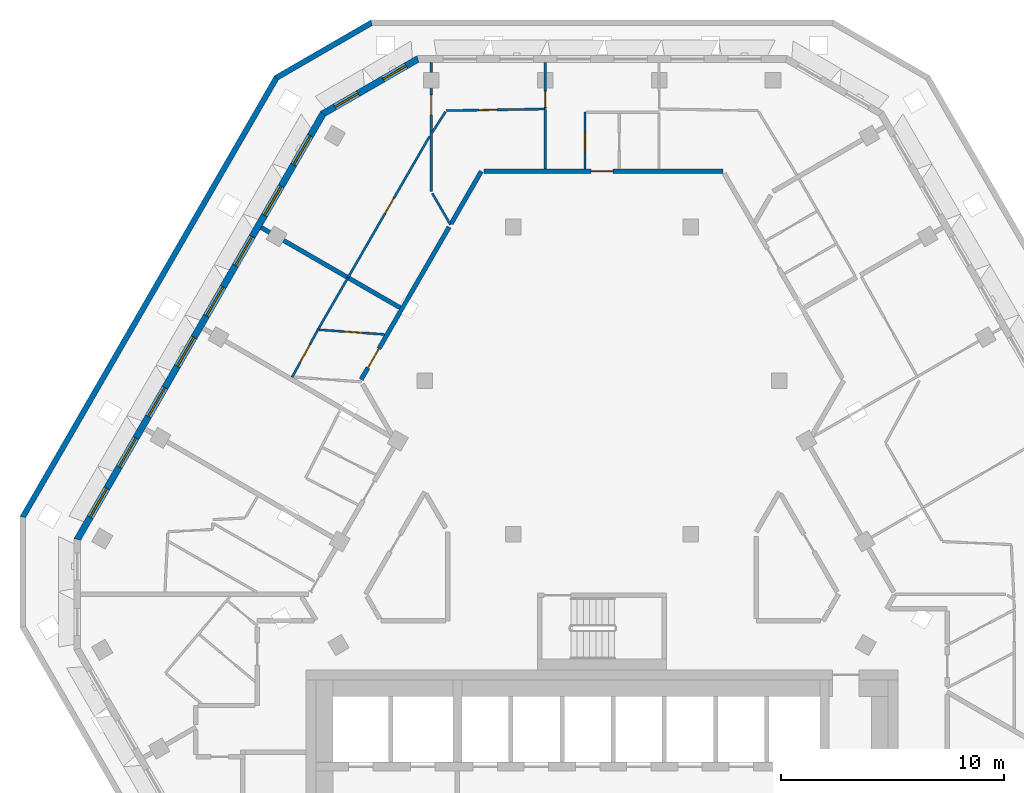
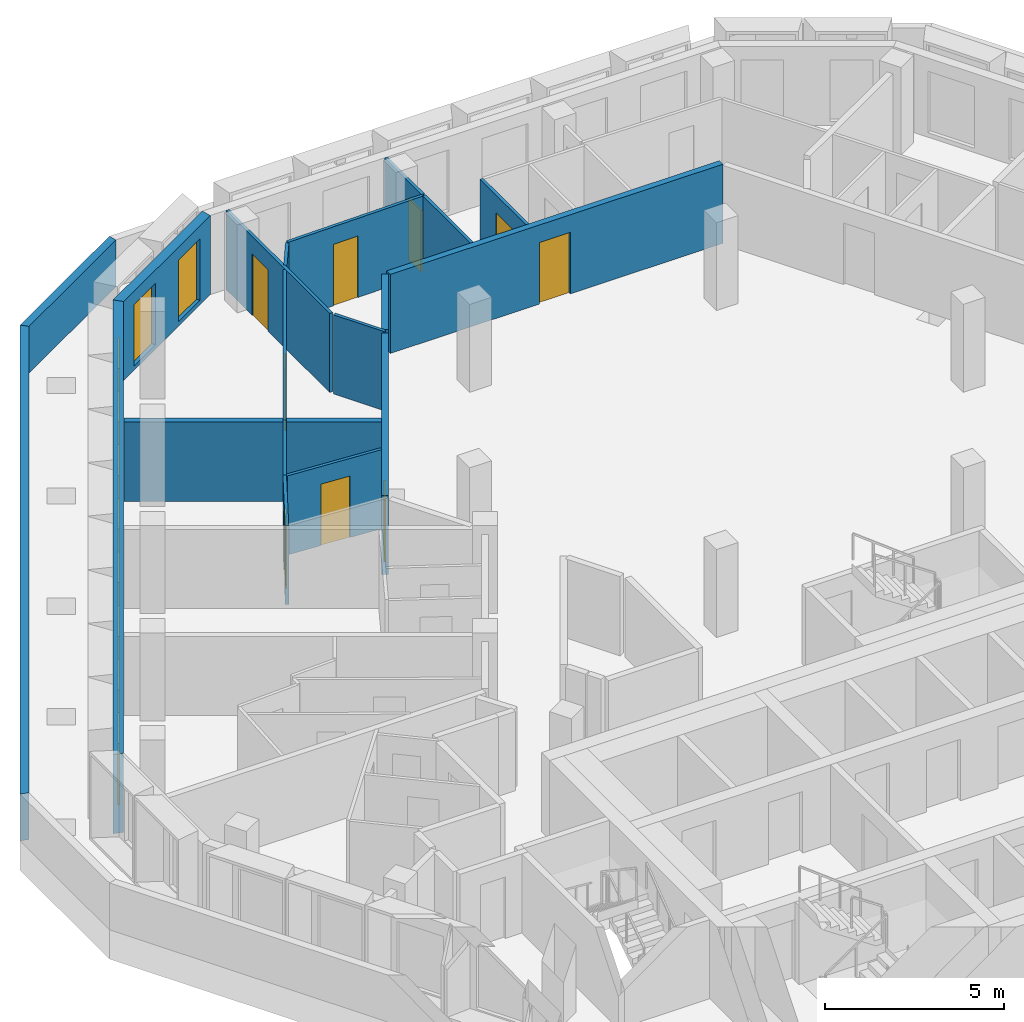
# One storey, part 7 of 15: 19 walls, 10 windows, 9 doors, 19 openings.
"""IFC4 building model written with IfcOpenShell, lengths in metres."""

from ifc_helpers import new_model, si_unit, direction, frame, frame_2d, origin, place, context, subcontext, project, spatial, polyline, rectangle, outline, extrude, material, layer, layer_set, type_object, element, fill, save


model = new_model("IFC4")

# Units and contexts
model_context = context("Model", 3, precision=1e-05, world=origin(), true_north=direction((0.0, 1.0)))
body_context = subcontext(model_context, "Body", "Model", "MODEL_VIEW")
ifc_project = project(units=[si_unit("LENGTHUNIT", "METRE"), si_unit("AREAUNIT", "SQUARE_METRE"), si_unit("VOLUMEUNIT", "CUBIC_METRE"), si_unit("PLANEANGLEUNIT", "RADIAN"), si_unit("MASSUNIT", "GRAM", prefix="KILO")], contexts=[model_context])

# Site, building, storey
site_placement = place(None, origin())
site = spatial("IfcSite", under=ifc_project, at=site_placement, CompositionType="ELEMENT")
building_placement = place(site_placement, origin())
building = spatial("IfcBuilding", under=site, at=building_placement, Name="Beryl Residences", CompositionType="ELEMENT")
storey_placement = place(building_placement, frame((0.0, 0.0, 202.800048828125)))
storey = spatial("IfcBuildingStorey", under=building, at=storey_placement, Name="L62", CompositionType="ELEMENT", Elevation=202.800048828125)

# Wall, openings, windows
ifc_material_1 = material(Name="Composite metal panel with mineral wool insulation")
ifc_layer_1 = layer(ifc_material_1, 0.300048828125)
ifc_layer_set_1 = layer_set([ifc_layer_1], Name="ES1 pale metal composite panel wall 300 mm")
wall_type_1 = type_object("IfcWallType", Name="ES1 pale metal composite panel wall 300 mm", PredefinedType="SOLIDWALL", material=ifc_layer_set_1)
wall_1_placement = place(storey_placement, frame((-8.239013671875, 22.469970703125, 0.0), z_axis=(0.0, 0.0, 1.0), x_axis=(-0.866022959057, -0.500004234368, 0.0)))
wall_1 = element("IfcWall", 1, at=wall_1_placement, inside=storey, type_object=wall_type_1, Name="ES1 external wall L62 N-NW", PredefinedType="SOLIDWALL", context=body_context, shape_type="SweptSolid", body=[
    extrude(outline(polyline([(0.0, -0.14990234375), (5.0, -0.14990234375), (4.919677734375, 0.14990234375), (0.080322265625, 0.14990234375), (0.0, -0.14990234375)])), origin(), (0.0, 0.0, 1.0), 2.699951171875),
])
opening_1_placement = place(wall_1_placement, frame((0.64990234375, 0.0, 0.14990234375)))
opening_1 = element("IfcOpeningElement", 2, at=opening_1_placement, cuts=wall_1, Name="Opening W2", PredefinedType="OPENING", context=body_context, shape_type="SweptSolid", body=[
    extrude(rectangle(XDim=1.199951171875, YDim=2.10009765625, at=frame_2d((0.60009765625, 1.050048828125))), frame((0.0, 0.159912109375, 0.0), z_axis=(0.0, -1.0, 0.0), x_axis=(1.0, 0.0, 0.0)), (0.0, 0.0, 1.0), 0.320068359375),
])
opening_2_placement = place(wall_1_placement, frame((3.14892578125, 0.0, 0.14990234375)))
opening_2 = element("IfcOpeningElement", 3, at=opening_2_placement, cuts=wall_1, Name="Opening W2", PredefinedType="OPENING", context=body_context, shape_type="SweptSolid", body=[
    extrude(rectangle(XDim=1.199951171875, YDim=2.10009765625, at=frame_2d((0.60009765625, 1.050048828125))), frame((0.0, 0.159912109375, 0.0), z_axis=(0.0, -1.0, 0.0), x_axis=(1.0, 0.0, 0.0)), (0.0, 0.0, 1.0), 0.320068359375),
])
ifc_material_2 = material(Name="Aluminium and clear glass", Category="aluminium")
window_type_1 = type_object("IfcWindowType", Name="W2 chamfer window 1200 x 2100 mm", PartitioningType="SINGLE_PANEL", PredefinedType="WINDOW", material=ifc_material_2)
window_1_placement = place(opening_1_placement, origin())
window_1 = element("IfcWindow", 4, at=window_1_placement, inside=storey, type_object=window_type_1, Name="W2 window L62 N-NW 1", OverallHeight=2.10009765625, OverallWidth=1.199951171875, PartitioningType="SINGLE_PANEL", PredefinedType="WINDOW", context=body_context, shape_type="SweptSolid", body=[
    extrude(rectangle(XDim=1.199951171875, YDim=2.10009765625, at=frame_2d((0.60009765625, 1.050048828125))), frame((0.0, 0.030029296875, 0.0), z_axis=(0.0, -1.0, 0.0), x_axis=(1.0, 0.0, 0.0)), (0.0, 0.0, 1.0), 0.06005859375),
])
fill(opening_1, window_1)
window_2_placement = place(opening_2_placement, origin())
window_2 = element("IfcWindow", 5, at=window_2_placement, inside=storey, type_object=window_type_1, Name="W2 window L62 N-NW 2", OverallHeight=2.10009765625, OverallWidth=1.199951171875, PartitioningType="SINGLE_PANEL", PredefinedType="WINDOW", context=body_context, shape_type="SweptSolid", body=[
    extrude(rectangle(XDim=1.199951171875, YDim=2.10009765625, at=frame_2d((0.60009765625, 1.050048828125))), frame((0.0, 0.030029296875, 0.0), z_axis=(0.0, -1.0, 0.0), x_axis=(1.0, 0.0, 0.0)), (0.0, 0.0, 1.0), 0.06005859375),
])
fill(opening_2, window_2)

wall_2_placement = place(storey_placement, frame((-12.513916015625, 20.02490234375, 0.0), z_axis=(0.0, 0.0, 1.0), x_axis=(-0.500003656944, -0.866023292436, 0.0)))
wall_2 = element("IfcWall", 6, at=wall_2_placement, inside=storey, type_object=wall_type_1, Name="ES1 external wall L62 NW", PredefinedType="SOLIDWALL", context=body_context, shape_type="SweptSolid", body=[
    extrude(outline(polyline([(0.0, -0.14990234375), (22.170166015625, -0.14990234375), (22.08984375, 0.14990234375), (0.080322265625, 0.14990234375), (0.0, -0.14990234375)])), origin(), (0.0, 0.0, 1.0), 2.699951171875),
])
opening_3_placement = place(wall_2_placement, frame((1.19091796875, 0.0, 0.14990234375)))
opening_3 = element("IfcOpeningElement", 7, at=opening_3_placement, cuts=wall_2, Name="Opening W1", PredefinedType="OPENING", context=body_context, shape_type="SweptSolid", body=[
    extrude(rectangle(XDim=1.5, YDim=2.10009765625, at=frame_2d((0.75, 1.050048828125))), frame((0.0, 0.159912109375, 0.0), z_axis=(0.0, -1.0, 0.0), x_axis=(1.0, 0.0, 0.0)), (0.0, 0.0, 1.0), 0.320068359375),
])
opening_4_placement = place(wall_2_placement, frame((3.803955078125, 0.0, 0.14990234375)))
opening_4 = element("IfcOpeningElement", 8, at=opening_4_placement, cuts=wall_2, Name="Opening W1", PredefinedType="OPENING", context=body_context, shape_type="SweptSolid", body=[
    extrude(rectangle(XDim=1.5, YDim=2.10009765625, at=frame_2d((0.75, 1.050048828125))), frame((0.0, 0.159912109375, 0.0), z_axis=(0.0, -1.0, 0.0), x_axis=(1.0, 0.0, 0.0)), (0.0, 0.0, 1.0), 0.320068359375),
])
opening_5_placement = place(wall_2_placement, frame((6.416015625, 0.0, 0.14990234375)))
opening_5 = element("IfcOpeningElement", 9, at=opening_5_placement, cuts=wall_2, Name="Opening W1", PredefinedType="OPENING", context=body_context, shape_type="SweptSolid", body=[
    extrude(rectangle(XDim=1.5, YDim=2.10009765625, at=frame_2d((0.75, 1.050048828125))), frame((0.0, 0.159912109375, 0.0), z_axis=(0.0, -1.0, 0.0), x_axis=(1.0, 0.0, 0.0)), (0.0, 0.0, 1.0), 0.320068359375),
])
opening_6_placement = place(wall_2_placement, frame((9.029052734375, 0.0, 0.14990234375)))
opening_6 = element("IfcOpeningElement", 10, at=opening_6_placement, cuts=wall_2, Name="Opening W1", PredefinedType="OPENING", context=body_context, shape_type="SweptSolid", body=[
    extrude(rectangle(XDim=1.5, YDim=2.10009765625, at=frame_2d((0.75, 1.050048828125))), frame((0.0, 0.159912109375, 0.0), z_axis=(0.0, -1.0, 0.0), x_axis=(1.0, 0.0, 0.0)), (0.0, 0.0, 1.0), 0.320068359375),
])
opening_7_placement = place(wall_2_placement, frame((11.64111328125, 0.0, 0.14990234375)))
opening_7 = element("IfcOpeningElement", 11, at=opening_7_placement, cuts=wall_2, Name="Opening W1", PredefinedType="OPENING", context=body_context, shape_type="SweptSolid", body=[
    extrude(rectangle(XDim=1.5, YDim=2.10009765625, at=frame_2d((0.75, 1.050048828125))), frame((0.0, 0.159912109375, 0.0), z_axis=(0.0, -1.0, 0.0), x_axis=(1.0, 0.0, 0.0)), (0.0, 0.0, 1.0), 0.320068359375),
])
opening_8_placement = place(wall_2_placement, frame((14.25390625, 0.0, 0.14990234375)))
opening_8 = element("IfcOpeningElement", 12, at=opening_8_placement, cuts=wall_2, Name="Opening W1", PredefinedType="OPENING", context=body_context, shape_type="SweptSolid", body=[
    extrude(rectangle(XDim=1.5, YDim=2.10009765625, at=frame_2d((0.75, 1.050048828125))), frame((0.0, 0.159912109375, 0.0), z_axis=(0.0, -1.0, 0.0), x_axis=(1.0, 0.0, 0.0)), (0.0, 0.0, 1.0), 0.320068359375),
])
opening_9_placement = place(wall_2_placement, frame((16.865966796875, 0.0, 0.14990234375)))
opening_9 = element("IfcOpeningElement", 13, at=opening_9_placement, cuts=wall_2, Name="Opening W1", PredefinedType="OPENING", context=body_context, shape_type="SweptSolid", body=[
    extrude(rectangle(XDim=1.5, YDim=2.10009765625, at=frame_2d((0.75, 1.050048828125))), frame((0.0, 0.159912109375, 0.0), z_axis=(0.0, -1.0, 0.0), x_axis=(1.0, 0.0, 0.0)), (0.0, 0.0, 1.0), 0.320068359375),
])
opening_10_placement = place(wall_2_placement, frame((19.47900390625, 0.0, 0.14990234375)))
opening_10 = element("IfcOpeningElement", 14, at=opening_10_placement, cuts=wall_2, Name="Opening W1", PredefinedType="OPENING", context=body_context, shape_type="SweptSolid", body=[
    extrude(rectangle(XDim=1.5, YDim=2.10009765625, at=frame_2d((0.75, 1.050048828125))), frame((0.0, 0.159912109375, 0.0), z_axis=(0.0, -1.0, 0.0), x_axis=(1.0, 0.0, 0.0)), (0.0, 0.0, 1.0), 0.320068359375),
])
ifc_material_3 = material(Name="Aluminium and clear glass", Category="aluminium")
window_type_2 = type_object("IfcWindowType", Name="W1 cell window 1500 x 2100 mm", PartitioningType="SINGLE_PANEL", PredefinedType="WINDOW", material=ifc_material_3)
window_3_placement = place(opening_3_placement, origin())
window_3 = element("IfcWindow", 15, at=window_3_placement, inside=storey, type_object=window_type_2, Name="W1 window L62 NW 1", OverallHeight=2.10009765625, OverallWidth=1.5, PartitioningType="SINGLE_PANEL", PredefinedType="WINDOW", context=body_context, shape_type="SweptSolid", body=[
    extrude(rectangle(XDim=1.5, YDim=2.10009765625, at=frame_2d((0.75, 1.050048828125))), frame((0.0, 0.030029296875, 0.0), z_axis=(0.0, -1.0, 0.0), x_axis=(1.0, 0.0, 0.0)), (0.0, 0.0, 1.0), 0.06005859375),
])
fill(opening_3, window_3)
window_4_placement = place(opening_4_placement, origin())
window_4 = element("IfcWindow", 16, at=window_4_placement, inside=storey, type_object=window_type_2, Name="W1 window L62 NW 2", OverallHeight=2.10009765625, OverallWidth=1.5, PartitioningType="SINGLE_PANEL", PredefinedType="WINDOW", context=body_context, shape_type="SweptSolid", body=[
    extrude(rectangle(XDim=1.5, YDim=2.10009765625, at=frame_2d((0.75, 1.050048828125))), frame((0.0, 0.030029296875, 0.0), z_axis=(0.0, -1.0, 0.0), x_axis=(1.0, 0.0, 0.0)), (0.0, 0.0, 1.0), 0.06005859375),
])
fill(opening_4, window_4)
window_5_placement = place(opening_5_placement, origin())
window_5 = element("IfcWindow", 17, at=window_5_placement, inside=storey, type_object=window_type_2, Name="W1 window L62 NW 3", OverallHeight=2.10009765625, OverallWidth=1.5, PartitioningType="SINGLE_PANEL", PredefinedType="WINDOW", context=body_context, shape_type="SweptSolid", body=[
    extrude(rectangle(XDim=1.5, YDim=2.10009765625, at=frame_2d((0.75, 1.050048828125))), frame((0.0, 0.030029296875, 0.0), z_axis=(0.0, -1.0, 0.0), x_axis=(1.0, 0.0, 0.0)), (0.0, 0.0, 1.0), 0.06005859375),
])
fill(opening_5, window_5)
window_6_placement = place(opening_6_placement, origin())
window_6 = element("IfcWindow", 18, at=window_6_placement, inside=storey, type_object=window_type_2, Name="W1 window L62 NW 4", OverallHeight=2.10009765625, OverallWidth=1.5, PartitioningType="SINGLE_PANEL", PredefinedType="WINDOW", context=body_context, shape_type="SweptSolid", body=[
    extrude(rectangle(XDim=1.5, YDim=2.10009765625, at=frame_2d((0.75, 1.050048828125))), frame((0.0, 0.030029296875, 0.0), z_axis=(0.0, -1.0, 0.0), x_axis=(1.0, 0.0, 0.0)), (0.0, 0.0, 1.0), 0.06005859375),
])
fill(opening_6, window_6)
window_7_placement = place(opening_7_placement, origin())
window_7 = element("IfcWindow", 19, at=window_7_placement, inside=storey, type_object=window_type_2, Name="W1 window L62 NW 5", OverallHeight=2.10009765625, OverallWidth=1.5, PartitioningType="SINGLE_PANEL", PredefinedType="WINDOW", context=body_context, shape_type="SweptSolid", body=[
    extrude(rectangle(XDim=1.5, YDim=2.10009765625, at=frame_2d((0.75, 1.050048828125))), frame((0.0, 0.030029296875, 0.0), z_axis=(0.0, -1.0, 0.0), x_axis=(1.0, 0.0, 0.0)), (0.0, 0.0, 1.0), 0.06005859375),
])
fill(opening_7, window_7)
window_8_placement = place(opening_8_placement, origin())
window_8 = element("IfcWindow", 20, at=window_8_placement, inside=storey, type_object=window_type_2, Name="W1 window L62 NW 6", OverallHeight=2.10009765625, OverallWidth=1.5, PartitioningType="SINGLE_PANEL", PredefinedType="WINDOW", context=body_context, shape_type="SweptSolid", body=[
    extrude(rectangle(XDim=1.5, YDim=2.10009765625, at=frame_2d((0.75, 1.050048828125))), frame((0.0, 0.030029296875, 0.0), z_axis=(0.0, -1.0, 0.0), x_axis=(1.0, 0.0, 0.0)), (0.0, 0.0, 1.0), 0.06005859375),
])
fill(opening_8, window_8)
window_9_placement = place(opening_9_placement, origin())
window_9 = element("IfcWindow", 21, at=window_9_placement, inside=storey, type_object=window_type_2, Name="W1 window L62 NW 7", OverallHeight=2.10009765625, OverallWidth=1.5, PartitioningType="SINGLE_PANEL", PredefinedType="WINDOW", context=body_context, shape_type="SweptSolid", body=[
    extrude(rectangle(XDim=1.5, YDim=2.10009765625, at=frame_2d((0.75, 1.050048828125))), frame((0.0, 0.030029296875, 0.0), z_axis=(0.0, -1.0, 0.0), x_axis=(1.0, 0.0, 0.0)), (0.0, 0.0, 1.0), 0.06005859375),
])
fill(opening_9, window_9)
window_10_placement = place(opening_10_placement, origin())
window_10 = element("IfcWindow", 22, at=window_10_placement, inside=storey, type_object=window_type_2, Name="W1 window L62 NW 8", OverallHeight=2.10009765625, OverallWidth=1.5, PartitioningType="SINGLE_PANEL", PredefinedType="WINDOW", context=body_context, shape_type="SweptSolid", body=[
    extrude(rectangle(XDim=1.5, YDim=2.10009765625, at=frame_2d((0.75, 1.050048828125))), frame((0.0, 0.030029296875, 0.0), z_axis=(0.0, -1.0, 0.0), x_axis=(1.0, 0.0, 0.0)), (0.0, 0.0, 1.0), 0.06005859375),
])
fill(opening_10, window_10)

# Walls
ifc_material_4 = material(Name="Precast concrete C40/50", Category="concrete")
ifc_layer_2 = layer(ifc_material_4, 0.25)
ifc_layer_set_2 = layer_set([ifc_layer_2], Name="PA1 roof parapet 250 mm")
wall_type_2 = type_object("IfcWallType", Name="PA1 roof parapet 250 mm", PredefinedType="PARAPET", material=ifc_layer_set_2)
wall_3_placement = place(storey_placement, frame((-26.0458984375, 1.837890625, 0.0), z_axis=(0.0, 0.0, 1.0), x_axis=(0.500061067893, 0.865990143349, 0.0)))
element("IfcWall", 23, at=wall_3_placement, inside=storey, type_object=wall_type_2, Name="PA1 parapet L62 strip 10", PredefinedType="PARAPET", context=body_context, shape_type="SweptSolid", body=[
    extrude(outline(polyline([(0.06689453125, -0.125), (22.796142578125, -0.125), (22.863037109375, 0.125), (0.0, 0.125), (0.06689453125, -0.125)])), origin(), (0.0, 0.0, 1.0), 1.599853515625),
])
wall_4_placement = place(storey_placement, frame((-14.658935546875, 21.591064453125, 0.0), z_axis=(0.0, 0.0, 1.0), x_axis=(0.865877295069, 0.50025644412, 0.0)))
element("IfcWall", 24, at=wall_4_placement, inside=storey, type_object=wall_type_2, Name="PA1 parapet L62 strip 11", PredefinedType="PARAPET", context=body_context, shape_type="SweptSolid", body=[
    extrude(outline(polyline([(0.06689453125, -0.125), (4.932373046875, -0.125), (4.999267578125, 0.125), (0.0, 0.125), (0.06689453125, -0.125)])), origin(), (0.0, 0.0, 1.0), 1.599853515625),
])
ifc_material_5 = material(Name="Gypsum board partition on steel studs", Category="steel")
ifc_layer_3 = layer(ifc_material_5, 0.10009765625)
ifc_layer_set_3 = layer_set([ifc_layer_3], Name="PT1 partition 100 mm gypsum board on steel studs")
wall_type_3 = type_object("IfcWallType", Name="PT1 partition 100 mm gypsum board on steel studs", PredefinedType="PARTITIONING", material=ifc_layer_set_3)
wall_5_placement = place(storey_placement, frame((-7.6279296875, 16.412109375, 0.0), z_axis=(0.0, 0.0, 1.0), x_axis=(0.499843439945, -0.866115774908, 0.0)))
element("IfcWall", 25, at=wall_5_placement, inside=storey, type_object=wall_type_3, Name="Wall PT1 L62 005", PredefinedType="PARTITIONING", context=body_context, shape_type="SweptSolid", body=[
    extrude(rectangle(XDim=1.63037109375, YDim=0.10009765625, at=frame_2d((0.815185546875, 0.0))), origin(), (0.0, 0.0, 1.0), 2.699951171875),
])
wall_6_placement = place(storey_placement, frame((-2.55908203125, 20.169921875, 0.0), z_axis=(0.0, 0.0, 1.0), x_axis=(0.0, -1.0, 0.0)))
element("IfcWall", 26, at=wall_6_placement, inside=storey, type_object=wall_type_3, Name="Wall PT1 L62 010", PredefinedType="PARTITIONING", context=body_context, shape_type="SweptSolid", body=[
    extrude(rectangle(XDim=2.669921875, YDim=0.10009765625, at=frame_2d((1.3349609375, 0.0))), origin(), (0.0, 0.0, 1.0), 2.699951171875),
])

# Wall, opening, door
wall_7_placement = place(storey_placement, frame((-12.7119140625, 10.281982421875, 0.0), z_axis=(0.0, 0.0, 1.0), x_axis=(0.997457858552, -0.071258826911, 0.0)))
wall_7 = element("IfcWall", 27, at=wall_7_placement, inside=storey, type_object=wall_type_3, Name="Wall PT1 L62 021", PredefinedType="PARTITIONING", context=body_context, shape_type="SweptSolid", body=[
    extrude(rectangle(XDim=2.946533203125, YDim=0.10009765625, at=frame_2d((1.47314453125, 0.0))), origin(), (0.0, 0.0, 1.0), 2.699951171875),
])
opening_11_placement = place(wall_7_placement, frame((1.051025390625, 0.0, 0.0)))
opening_11 = element("IfcOpeningElement", 28, at=opening_11_placement, cuts=wall_7, Name="Opening D1811", PredefinedType="OPENING", context=body_context, shape_type="SweptSolid", body=[
    extrude(rectangle(XDim=0.89990234375, YDim=2.10009765625, at=frame_2d((0.449951171875, 1.050048828125))), frame((0.0, 0.06005859375, 0.0), z_axis=(0.0, -1.0, 0.0), x_axis=(1.0, 0.0, 0.0)), (0.0, 0.0, 1.0), 0.1201171875),
])
ifc_material_6 = material(Name="Timber door leaf", Category="wood")
door_type_1 = type_object("IfcDoorType", Name="D2 room door 900 x 2100 mm", OperationType="SINGLE_SWING_LEFT", PredefinedType="DOOR", material=ifc_material_6)
door_1_placement = place(opening_11_placement, origin())
door_1 = element("IfcDoor", 29, at=door_1_placement, inside=storey, type_object=door_type_1, Name="Door D1811 L62 001", OperationType="SINGLE_SWING_LEFT", OverallHeight=2.10009765625, OverallWidth=0.89990234375, PredefinedType="DOOR", context=body_context, shape_type="SweptSolid", body=[
    extrude(rectangle(XDim=0.89990234375, YDim=2.10009765625, at=frame_2d((0.449951171875, 1.050048828125))), frame((0.0, 0.02490234375, 0.0), z_axis=(0.0, -1.0, 0.0), x_axis=(1.0, 0.0, 0.0)), (0.0, 0.0, 1.0), 0.050048828125),
])
fill(opening_11, door_1)

# Walls
wall_8_placement = place(storey_placement, frame((-7.6279296875, 19.154052734375, 0.0), z_axis=(0.0, 0.0, 1.0), x_axis=(0.540600102017, 0.841279697663, 0.0)))
element("IfcWall", 30, at=wall_8_placement, inside=storey, type_object=wall_type_3, Name="Wall PT1 L62 028", PredefinedType="PARTITIONING", context=body_context, shape_type="SweptSolid", body=[
    extrude(rectangle(XDim=1.096923828125, YDim=0.10009765625, at=frame_2d((0.54833984375, 0.0))), origin(), (0.0, 0.0, 1.0), 2.699951171875),
])
wall_9_placement = place(storey_placement, frame((-12.778076171875, 10.26806640625, 0.0), z_axis=(0.0, 0.0, 1.0), x_axis=(0.500084799062, 0.865976439487, 0.0)))
element("IfcWall", 31, at=wall_9_placement, inside=storey, type_object=wall_type_3, Name="Wall PT1 L62 030", PredefinedType="PARTITIONING", context=body_context, shape_type="SweptSolid", body=[
    extrude(rectangle(XDim=2.7216796875, YDim=0.10009765625, at=frame_2d((1.36083984375, 0.0))), origin(), (0.0, 0.0, 1.0), 2.699951171875),
])

# Wall, opening, door
wall_10_placement = place(storey_placement, frame((-13.929931640625, 8.14501953125, 0.0), z_axis=(0.0, 0.0, 1.0), x_axis=(0.477194887681, 0.878797496111, 0.0)))
wall_10 = element("IfcWall", 32, at=wall_10_placement, inside=storey, type_object=wall_type_3, Name="Wall PT1 L62 032", PredefinedType="PARTITIONING", context=body_context, shape_type="SweptSolid", body=[
    extrude(rectangle(XDim=2.457763671875, YDim=0.10009765625, at=frame_2d((1.22900390625, 0.0))), origin(), (0.0, 0.0, 1.0), 2.699951171875),
])
opening_12_placement = place(wall_10_placement, frame((0.779052734375, 0.0, 0.0)))
opening_12 = element("IfcOpeningElement", 33, at=opening_12_placement, cuts=wall_10, Name="Opening D1813", PredefinedType="OPENING", context=body_context, shape_type="SweptSolid", body=[
    extrude(rectangle(XDim=0.89990234375, YDim=2.10009765625, at=frame_2d((0.449951171875, 1.050048828125))), frame((0.0, 0.06005859375, 0.0), z_axis=(0.0, -1.0, 0.0), x_axis=(1.0, 0.0, 0.0)), (0.0, 0.0, 1.0), 0.1201171875),
])
door_2_placement = place(opening_12_placement, origin())
door_2 = element("IfcDoor", 34, at=door_2_placement, inside=storey, type_object=door_type_1, Name="Door D1813 L62 001", OperationType="SINGLE_SWING_LEFT", OverallHeight=2.10009765625, OverallWidth=0.89990234375, PredefinedType="DOOR", context=body_context, shape_type="SweptSolid", body=[
    extrude(rectangle(XDim=0.89990234375, YDim=2.10009765625, at=frame_2d((0.449951171875, 1.050048828125))), frame((0.0, 0.02490234375, 0.0), z_axis=(0.0, -1.0, 0.0), x_axis=(1.0, 0.0, 0.0)), (0.0, 0.0, 1.0), 0.050048828125),
])
fill(opening_12, door_2)

wall_11_placement = place(storey_placement, frame((-7.677978515625, 16.4990234375, 0.0), z_axis=(0.0, 0.0, 1.0), x_axis=(0.0, 1.0, 0.0)))
wall_11 = element("IfcWall", 35, at=wall_11_placement, inside=storey, type_object=wall_type_3, Name="Wall PT1 L62 039", PredefinedType="PARTITIONING", context=body_context, shape_type="SweptSolid", body=[
    extrude(rectangle(XDim=5.801025390625, YDim=0.10009765625, at=frame_2d((2.900390625, 0.0))), origin(), (0.0, 0.0, 1.0), 2.699951171875),
])
opening_13_placement = place(wall_11_placement, frame((3.43994140625, 0.0, 0.0)))
opening_13 = element("IfcOpeningElement", 36, at=opening_13_placement, cuts=wall_11, Name="Opening D1808", PredefinedType="OPENING", context=body_context, shape_type="SweptSolid", body=[
    extrude(rectangle(XDim=0.89990234375, YDim=2.10009765625, at=frame_2d((0.449951171875, 1.050048828125))), frame((0.0, 0.06005859375, 0.0), z_axis=(0.0, -1.0, 0.0), x_axis=(1.0, 0.0, 0.0)), (0.0, 0.0, 1.0), 0.1201171875),
])
door_3_placement = place(opening_13_placement, origin())
door_3 = element("IfcDoor", 37, at=door_3_placement, inside=storey, type_object=door_type_1, Name="Door D1808 L62 001", OperationType="SINGLE_SWING_RIGHT", OverallHeight=2.10009765625, OverallWidth=0.89990234375, PredefinedType="DOOR", context=body_context, shape_type="SweptSolid", body=[
    extrude(rectangle(XDim=0.89990234375, YDim=2.10009765625, at=frame_2d((0.449951171875, 1.050048828125))), frame((0.0, 0.02490234375, 0.0), z_axis=(0.0, -1.0, 0.0), x_axis=(1.0, 0.0, 0.0)), (0.0, 0.0, 1.0), 0.050048828125),
])
fill(opening_13, door_3)

wall_12_placement = place(storey_placement, frame((-0.76708984375, 17.5, 0.0), z_axis=(0.0, 0.0, 1.0), x_axis=(0.0, 1.0, 0.0)))
wall_12 = element("IfcWall", 38, at=wall_12_placement, inside=storey, type_object=wall_type_3, Name="Wall PT1 L62 040", PredefinedType="PARTITIONING", context=body_context, shape_type="SweptSolid", body=[
    extrude(rectangle(XDim=2.55908203125, YDim=0.10009765625, at=frame_2d((1.279541015625, 0.0))), origin(), (0.0, 0.0, 1.0), 2.699951171875),
])
opening_14_placement = place(wall_12_placement, frame((0.780029296875, 0.0, 0.0)))
opening_14 = element("IfcOpeningElement", 39, at=opening_14_placement, cuts=wall_12, Name="Opening D1802", PredefinedType="OPENING", context=body_context, shape_type="SweptSolid", body=[
    extrude(rectangle(XDim=0.89990234375, YDim=2.10009765625, at=frame_2d((0.449951171875, 1.050048828125))), frame((0.0, 0.06005859375, 0.0), z_axis=(0.0, -1.0, 0.0), x_axis=(1.0, 0.0, 0.0)), (0.0, 0.0, 1.0), 0.1201171875),
])
door_4_placement = place(opening_14_placement, origin())
door_4 = element("IfcDoor", 40, at=door_4_placement, inside=storey, type_object=door_type_1, Name="Door D1802 L62 001", OperationType="SINGLE_SWING_RIGHT", OverallHeight=2.10009765625, OverallWidth=0.89990234375, PredefinedType="DOOR", context=body_context, shape_type="SweptSolid", body=[
    extrude(rectangle(XDim=0.89990234375, YDim=2.10009765625, at=frame_2d((0.449951171875, 1.050048828125))), frame((0.0, 0.02490234375, 0.0), z_axis=(0.0, -1.0, 0.0), x_axis=(1.0, 0.0, 0.0)), (0.0, 0.0, 1.0), 0.050048828125),
])
fill(opening_14, door_4)

wall_13_placement = place(storey_placement, frame((-2.55908203125, 20.22998046875, 0.0), z_axis=(0.0, 0.0, 1.0), x_axis=(0.0, 1.0, 0.0)))
wall_13 = element("IfcWall", 41, at=wall_13_placement, inside=storey, type_object=wall_type_3, Name="Wall PT1 L62 041", PredefinedType="PARTITIONING", context=body_context, shape_type="SweptSolid", body=[
    extrude(rectangle(XDim=2.070068359375, YDim=0.10009765625, at=frame_2d((1.03515625, 0.0))), origin(), (0.0, 0.0, 1.0), 2.699951171875),
])
opening_15_placement = place(wall_13_placement, frame((0.06005859375, 0.0, 0.0)))
opening_15 = element("IfcOpeningElement", 42, at=opening_15_placement, cuts=wall_13, Name="Opening D1804", PredefinedType="OPENING", context=body_context, shape_type="SweptSolid", body=[
    extrude(rectangle(XDim=0.699951171875, YDim=2.10009765625, at=frame_2d((0.35009765625, 1.050048828125))), frame((0.0, 0.06005859375, 0.0), z_axis=(0.0, -1.0, 0.0), x_axis=(1.0, 0.0, 0.0)), (0.0, 0.0, 1.0), 0.1201171875),
])
ifc_material_7 = material(Name="Timber door leaf", Category="wood")
door_type_2 = type_object("IfcDoorType", Name="D14 room door 700 x 2100 mm", OperationType="SINGLE_SWING_LEFT", PredefinedType="DOOR", material=ifc_material_7)
door_5_placement = place(opening_15_placement, origin())
door_5 = element("IfcDoor", 43, at=door_5_placement, inside=storey, type_object=door_type_2, Name="Door D1804 L62 001", OperationType="SINGLE_SWING_RIGHT", OverallHeight=2.10009765625, OverallWidth=0.699951171875, PredefinedType="DOOR", context=body_context, shape_type="SweptSolid", body=[
    extrude(rectangle(XDim=0.699951171875, YDim=2.10009765625, at=frame_2d((0.35009765625, 1.050048828125))), frame((0.0, 0.02490234375, 0.0), z_axis=(0.0, -1.0, 0.0), x_axis=(1.0, 0.0, 0.0)), (0.0, 0.0, 1.0), 0.050048828125),
])
fill(opening_15, door_5)

wall_14_placement = place(storey_placement, frame((-7.001953125, 20.1279296875, 0.0), z_axis=(0.0, 0.0, 1.0), x_axis=(0.999868634558, 0.016208443081, 0.0)))
wall_14 = element("IfcWall", 44, at=wall_14_placement, inside=storey, type_object=wall_type_3, Name="Wall PT1 L62 042", PredefinedType="PARTITIONING", context=body_context, shape_type="SweptSolid", body=[
    extrude(rectangle(XDim=4.443359375, YDim=0.10009765625, at=frame_2d((2.2216796875, 0.0))), origin(), (0.0, 0.0, 1.0), 2.699951171875),
])
opening_16_placement = place(wall_14_placement, frame((1.47509765625, 0.0, 0.0)))
opening_16 = element("IfcOpeningElement", 45, at=opening_16_placement, cuts=wall_14, Name="Opening D1807", PredefinedType="OPENING", context=body_context, shape_type="SweptSolid", body=[
    extrude(rectangle(XDim=0.800048828125, YDim=2.10009765625, at=frame_2d((0.39990234375, 1.050048828125))), frame((0.0, 0.06005859375, 0.0), z_axis=(0.0, -1.0, 0.0), x_axis=(1.0, 0.0, 0.0)), (0.0, 0.0, 1.0), 0.1201171875),
])
ifc_material_8 = material(Name="Timber door leaf", Category="wood")
door_type_3 = type_object("IfcDoorType", Name="D3 bathroom door 800 x 2100 mm", OperationType="SINGLE_SWING_LEFT", PredefinedType="DOOR", material=ifc_material_8)
door_6_placement = place(opening_16_placement, origin())
door_6 = element("IfcDoor", 46, at=door_6_placement, inside=storey, type_object=door_type_3, Name="Door D1807 L62 001", OperationType="SINGLE_SWING_LEFT", OverallHeight=2.10009765625, OverallWidth=0.800048828125, PredefinedType="DOOR", context=body_context, shape_type="SweptSolid", body=[
    extrude(rectangle(XDim=0.800048828125, YDim=2.10009765625, at=frame_2d((0.39990234375, 1.050048828125))), frame((0.0, 0.02490234375, 0.0), z_axis=(0.0, -1.0, 0.0), x_axis=(1.0, 0.0, 0.0)), (0.0, 0.0, 1.0), 0.050048828125),
])
fill(opening_16, door_6)

wall_15_placement = place(storey_placement, frame((-11.4169921875, 12.625, 0.0), z_axis=(0.0, 0.0, 1.0), x_axis=(0.500007885066, 0.866020851292, 0.0)))
wall_15 = element("IfcWall", 47, at=wall_15_placement, inside=storey, type_object=wall_type_3, Name="Wall PT1 L62 052", PredefinedType="PARTITIONING", context=body_context, shape_type="SweptSolid", body=[
    extrude(rectangle(XDim=7.330078125, YDim=0.10009765625, at=frame_2d((3.6650390625, 0.0))), origin(), (0.0, 0.0, 1.0), 2.699951171875),
])
opening_17_placement = place(wall_15_placement, frame((3.327880859375, 0.0, 0.0)))
opening_17 = element("IfcOpeningElement", 48, at=opening_17_placement, cuts=wall_15, Name="Opening D1809", PredefinedType="OPENING", context=body_context, shape_type="SweptSolid", body=[
    extrude(rectangle(XDim=0.800048828125, YDim=2.10009765625, at=frame_2d((0.39990234375, 1.050048828125))), frame((0.0, 0.06005859375, 0.0), z_axis=(0.0, -1.0, 0.0), x_axis=(1.0, 0.0, 0.0)), (0.0, 0.0, 1.0), 0.1201171875),
])
door_7_placement = place(opening_17_placement, origin())
door_7 = element("IfcDoor", 49, at=door_7_placement, inside=storey, type_object=door_type_3, Name="Door D1809 L62 001", OperationType="SINGLE_SWING_LEFT", OverallHeight=2.10009765625, OverallWidth=0.800048828125, PredefinedType="DOOR", context=body_context, shape_type="SweptSolid", body=[
    extrude(rectangle(XDim=0.800048828125, YDim=2.10009765625, at=frame_2d((0.39990234375, 1.050048828125))), frame((0.0, 0.02490234375, 0.0), z_axis=(0.0, -1.0, 0.0), x_axis=(1.0, 0.0, 0.0)), (0.0, 0.0, 1.0), 0.050048828125),
])
fill(opening_17, door_7)

# Wall
ifc_material_9 = material(Name="Acoustic double stud gypsum board wall")
ifc_layer_4 = layer(ifc_material_9, 0.199951171875)
ifc_layer_set_4 = layer_set([ifc_layer_4], Name="PT3 party wall 200 mm acoustic double stud")
wall_type_4 = type_object("IfcWallType", Name="PT3 party wall 200 mm acoustic double stud", PredefinedType="PARTITIONING", material=ifc_layer_set_4)
wall_16_placement = place(storey_placement, frame((-15.31396484375, 14.875, 0.0), z_axis=(0.0, 0.0, 1.0), x_axis=(0.866001485781, -0.500041424909, 0.0)))
element("IfcWall", 50, at=wall_16_placement, inside=storey, type_object=wall_type_4, Name="Wall PT3 L62 004", PredefinedType="PARTITIONING", context=body_context, shape_type="SweptSolid", body=[
    extrude(rectangle(XDim=7.19970703125, YDim=0.199951171875, at=frame_2d((3.599853515625, 0.0))), origin(), (0.0, 0.0, 1.0), 2.699951171875),
])

# Wall, opening, door
ifc_material_10 = material(Name="Double stud gypsum board wall")
ifc_layer_5 = layer(ifc_material_10, 0.199951171875)
ifc_layer_set_5 = layer_set([ifc_layer_5], Name="PT4 corridor wall 200 mm double stud")
wall_type_5 = type_object("IfcWallType", Name="PT4 corridor wall 200 mm double stud", PredefinedType="PARTITIONING", material=ifc_layer_set_5)
wall_17_placement = place(storey_placement, frame((-5.31103515625, 17.39990234375, 0.0), z_axis=(0.0, 0.0, 1.0), x_axis=(1.0, 0.0, 0.0)))
wall_17 = element("IfcWall", 51, at=wall_17_placement, inside=storey, type_object=wall_type_5, Name="Wall PT4 L62 019", PredefinedType="PARTITIONING", context=body_context, shape_type="SweptSolid", body=[
    extrude(rectangle(XDim=10.737060546875, YDim=0.199951171875, at=frame_2d((5.36865234375, 0.0))), origin(), (0.0, 0.0, 1.0), 2.699951171875),
])
opening_18_placement = place(wall_17_placement, frame((4.81201171875, 0.0, 0.0)))
opening_18 = element("IfcOpeningElement", 52, at=opening_18_placement, cuts=wall_17, Name="Opening D1801", PredefinedType="OPENING", context=body_context, shape_type="SweptSolid", body=[
    extrude(rectangle(XDim=1.0, YDim=2.10009765625, at=frame_2d((0.5, 1.050048828125))), frame((0.0, 0.10986328125, 0.0), z_axis=(0.0, -1.0, 0.0), x_axis=(1.0, 0.0, 0.0)), (0.0, 0.0, 1.0), 0.219970703125),
])
ifc_material_11 = material(Name="Timber door leaf", Category="wood")
door_type_4 = type_object("IfcDoorType", Name="D1 flat entrance door 1000 x 2100 mm", OperationType="SINGLE_SWING_LEFT", PredefinedType="DOOR", material=ifc_material_11)
door_8_placement = place(opening_18_placement, origin())
door_8 = element("IfcDoor", 53, at=door_8_placement, inside=storey, type_object=door_type_4, Name="Door D1801 L62 001", OperationType="SINGLE_SWING_LEFT", OverallHeight=2.10009765625, OverallWidth=1.0, PredefinedType="DOOR", context=body_context, shape_type="SweptSolid", body=[
    extrude(rectangle(XDim=1.0, YDim=2.10009765625, at=frame_2d((0.5, 1.050048828125))), frame((0.0, 0.02490234375, 0.0), z_axis=(0.0, -1.0, 0.0), x_axis=(1.0, 0.0, 0.0)), (0.0, 0.0, 1.0), 0.050048828125),
])
fill(opening_18, door_8)

wall_18_placement = place(storey_placement, frame((-10.825927734375, 8.048095703125, 0.0), z_axis=(0.0, 0.0, 1.0), x_axis=(0.499953104851, 0.866052477019, 0.0)))
wall_18 = element("IfcWall", 54, at=wall_18_placement, inside=storey, type_object=wall_type_5, Name="Wall PT4 L62 027", PredefinedType="PARTITIONING", context=body_context, shape_type="SweptSolid", body=[
    extrude(rectangle(XDim=7.910400390625, YDim=0.199951171875, at=frame_2d((3.955078125, 0.0))), origin(), (0.0, 0.0, 1.0), 2.699951171875),
])
opening_19_placement = place(wall_18_placement, frame((0.60302734375, 0.0, 0.0)))
opening_19 = element("IfcOpeningElement", 55, at=opening_19_placement, cuts=wall_18, Name="Opening D1810", PredefinedType="OPENING", context=body_context, shape_type="SweptSolid", body=[
    extrude(rectangle(XDim=1.0, YDim=2.10009765625, at=frame_2d((0.5, 1.050048828125))), frame((0.0, 0.10986328125, 0.0), z_axis=(0.0, -1.0, 0.0), x_axis=(1.0, 0.0, 0.0)), (0.0, 0.0, 1.0), 0.219970703125),
])
door_9_placement = place(opening_19_placement, origin())
door_9 = element("IfcDoor", 56, at=door_9_placement, inside=storey, type_object=door_type_4, Name="Door D1810 L62 001", OperationType="SINGLE_SWING_RIGHT", OverallHeight=2.10009765625, OverallWidth=1.0, PredefinedType="DOOR", context=body_context, shape_type="SweptSolid", body=[
    extrude(rectangle(XDim=1.0, YDim=2.10009765625, at=frame_2d((0.5, 1.050048828125))), frame((0.0, 0.02490234375, 0.0), z_axis=(0.0, -1.0, 0.0), x_axis=(1.0, 0.0, 0.0)), (0.0, 0.0, 1.0), 0.050048828125),
])
fill(opening_19, door_9)

# Wall
wall_19_placement = place(storey_placement, frame((-6.783935546875, 15.050048828125, 0.0), z_axis=(0.0, 0.0, 1.0), x_axis=(0.500067724834, 0.865986299303, 0.0)))
element("IfcWall", 57, at=wall_19_placement, inside=storey, type_object=wall_type_5, Name="Wall PT4 L62 028", PredefinedType="PARTITIONING", context=body_context, shape_type="SweptSolid", body=[
    extrude(rectangle(XDim=2.71337890625, YDim=0.199951171875, at=frame_2d((1.356689453125, 0.0))), origin(), (0.0, 0.0, 1.0), 2.699951171875),
])

save(model, "model.ifc")
